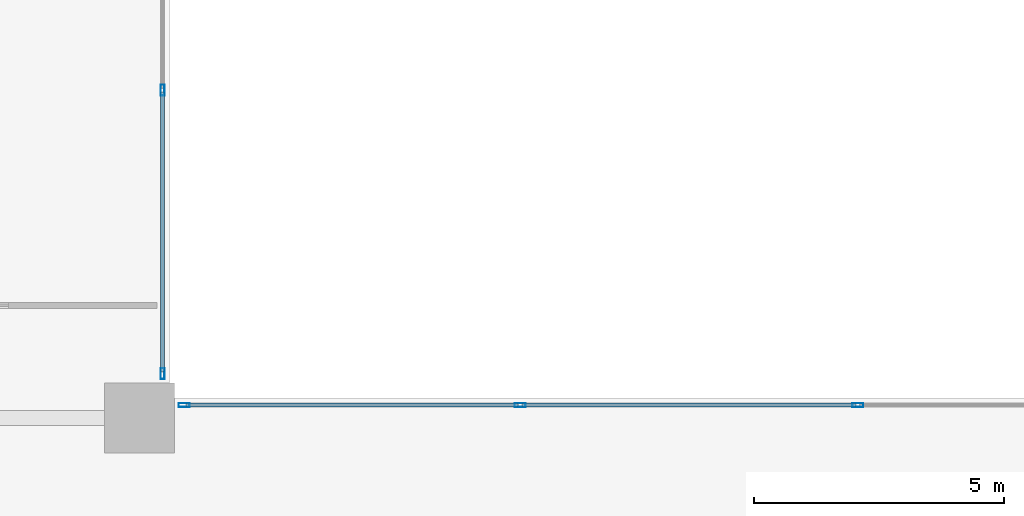
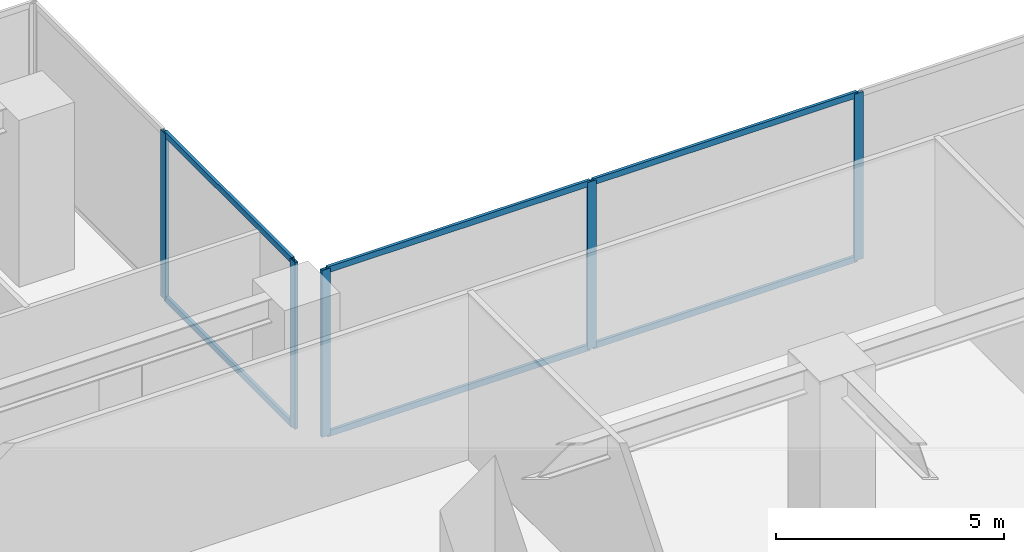
# One storey, part 5 of 16: 11 members, 2 elements without a shape of their own.
"""IFC4 building model written with IfcOpenShell, lengths in metres."""

from ifc_helpers import new_model, si_unit, direction, frame, origin, origin_with_axes, origin_2d, place, context, subcontext, project, spatial, hollow_rectangle, extrude, source, transform, mapped, material, layer, layer_set, material_profile, profile_set, type_object, element, aggregate, save


model = new_model("IFC4")

# Units and contexts
model_context = context("Model", 3, precision=1e-05, world=origin(), true_north=direction((0.0, 1.0)))
body_context = subcontext(model_context, "Body", "Model", "MODEL_VIEW")
ifc_project = project(units=[si_unit("LENGTHUNIT", "METRE"), si_unit("AREAUNIT", "SQUARE_METRE"), si_unit("VOLUMEUNIT", "CUBIC_METRE"), si_unit("PLANEANGLEUNIT", "RADIAN"), si_unit("MASSUNIT", "GRAM", prefix="KILO")], contexts=[model_context])

# Site, building, storey
site_placement = place(None, origin())
site = spatial("IfcSite", under=ifc_project, at=site_placement, CompositionType="ELEMENT")
building_placement = place(site_placement, origin())
building = spatial("IfcBuilding", under=site, at=building_placement, Name="Kolvaren Waterfront Exchange", CompositionType="ELEMENT")
storey_placement = place(building_placement, frame((0.0, 0.0, 15.199951171875)))
storey = spatial("IfcBuildingStorey", under=building, at=storey_placement, Name="L04", CompositionType="ELEMENT", Elevation=15.199951171875)

# Curtain wall, members
ifc_material_1 = material(Name="Anodised bronze aluminium 6063-T6", Category="aluminium")
ifc_layer = layer(ifc_material_1, 0.219970703125, Name="Anodised bronze aluminium 6063-T6")
ifc_layer_set = layer_set([ifc_layer], Name="Anodised bronze aluminium 6063-T6")
curtain_wall_type = type_object("IfcCurtainWallType", Name="ARC-CW-SYS4", PredefinedType="USERDEFINED", material=ifc_layer_set)
curtain_wall_1_placement = place(storey_placement, origin())
curtain_wall_1 = element("IfcCurtainWall", 1, at=curtain_wall_1_placement, inside=storey, type_object=curtain_wall_type, Name="L04 stick curtain wall CW4 (CW-L04-E2)", ObjectType="STICK CURTAIN WALL", PredefinedType="USERDEFINED")
ifc_material_2 = material(Name="Anodised aluminium 6063-T6", Category="aluminium")
ifc_material_profile_1 = material_profile(ifc_material_2, hollow_rectangle(XDim=0.080078125, YDim=0.219970703125, WallThickness=0.0048828125, at=origin_2d()), Name="ALU-MUL-220x80x5")
ifc_profile_set_1 = profile_set([ifc_material_profile_1], Name="Anodised aluminium 6063-T6")
member_type_1 = type_object("IfcMemberType", Name="ARC-CWM-220", PredefinedType="MULLION", material=ifc_profile_set_1)
shared_shape_1 = source(origin_with_axes(), body_context, "Body", "SweptSolid", [
    extrude(hollow_rectangle(XDim=0.080078125, YDim=0.219970703125, WallThickness=0.0048828125, at=origin_2d()), origin(), (0.0, 0.0, 1.0), 4.4599609375),
])
member_1_placement = place(storey_placement, frame((51.155029296875, 39.06005859375, 0.0), z_axis=(0.0, 0.0, 1.0), x_axis=(0.0, -1.0, 0.0)))
member_1 = element("IfcMember", 2, at=member_1_placement, type_object=member_type_1, Name="CW4 mullion 3", PredefinedType="MULLION", context=body_context, shape_type="MappedRepresentation", body=[
    mapped(shared_shape_1, transform((0.0, 0.0, 0.0), x_axis=(1.0, 0.0, 0.0), y_axis=(0.0, 1.0, 0.0), z_axis=(0.0, 0.0, 1.0), scale=1.0)),
])
member_2_placement = place(storey_placement, frame((44.402587890625, 39.06005859375, 0.0), z_axis=(0.0, 0.0, 1.0), x_axis=(0.0, -1.0, 0.0)))
member_2 = element("IfcMember", 3, at=member_2_placement, type_object=member_type_1, Name="CW4 mullion 4", PredefinedType="MULLION", context=body_context, shape_type="MappedRepresentation", body=[
    mapped(shared_shape_1, transform((0.0, 0.0, 0.0), x_axis=(1.0, 0.0, 0.0), y_axis=(0.0, 1.0, 0.0), z_axis=(0.0, 0.0, 1.0), scale=1.0)),
])
member_3_placement = place(storey_placement, frame((37.68994140625, 39.06005859375, 0.0), z_axis=(0.0, 0.0, 1.0), x_axis=(0.0, -1.0, 0.0)))
member_3 = element("IfcMember", 4, at=member_3_placement, type_object=member_type_1, Name="CW4 mullion 5", PredefinedType="MULLION", context=body_context, shape_type="MappedRepresentation", body=[
    mapped(shared_shape_1, transform((0.0, 0.0, 0.0), x_axis=(1.0, 0.0, 0.0), y_axis=(0.0, 1.0, 0.0), z_axis=(0.0, 0.0, 1.0), scale=1.0)),
])

curtain_wall_2_placement = place(storey_placement, origin())
curtain_wall_2 = element("IfcCurtainWall", 5, at=curtain_wall_2_placement, inside=storey, type_object=curtain_wall_type, Name="L04 stick curtain wall CW4 (CW-L04-N1)", ObjectType="STICK CURTAIN WALL", PredefinedType="USERDEFINED")
member_4_placement = place(storey_placement, frame((37.260009765625, 39.68994140625, 0.0), z_axis=(0.0, 0.0, 1.0), x_axis=(-1.0, 0.0, 0.0)))
member_4 = element("IfcMember", 6, at=member_4_placement, type_object=member_type_1, Name="CW4 mullion 1", PredefinedType="MULLION", context=body_context, shape_type="MappedRepresentation", body=[
    mapped(shared_shape_1, transform((0.0, 0.0, 0.0), x_axis=(1.0, 0.0, 0.0), y_axis=(0.0, 1.0, 0.0), z_axis=(0.0, 0.0, 1.0), scale=1.0)),
])
member_5_placement = place(storey_placement, frame((37.260009765625, 45.35498046875, 0.0), z_axis=(0.0, 0.0, 1.0), x_axis=(-1.0, 0.0, 0.0)))
member_5 = element("IfcMember", 7, at=member_5_placement, type_object=member_type_1, Name="CW4 mullion 2", PredefinedType="MULLION", context=body_context, shape_type="MappedRepresentation", body=[
    mapped(shared_shape_1, transform((0.0, 0.0, 0.0), x_axis=(1.0, 0.0, 0.0), y_axis=(0.0, 1.0, 0.0), z_axis=(0.0, 0.0, 1.0), scale=1.0)),
])

# Member
ifc_material_profile_2 = material_profile(ifc_material_2, hollow_rectangle(XDim=0.074951171875, YDim=0.159912109375, WallThickness=0.00439453125, at=origin_2d()), Name="ALU-TRN-160x75x4.5")
ifc_profile_set_2 = profile_set([ifc_material_profile_2], Name="Anodised aluminium 6063-T6")
member_type_2 = type_object("IfcMemberType", Name="ARC-CWT-160", PredefinedType="USERDEFINED", material=ifc_profile_set_2)
shared_shape_2 = source(origin_with_axes(), body_context, "Body", "SweptSolid", [
    extrude(hollow_rectangle(XDim=0.074951171875, YDim=0.159912109375, WallThickness=0.00439453125, at=origin_2d()), origin(), (0.0, 0.0, 1.0), 6.632568359375),
])
member_6_placement = place(storey_placement, frame((44.362548828125, 39.06005859375, 0.03759765625), z_axis=(-1.0, 0.0, 0.0), x_axis=(0.0, -1.0, 0.0)))
member_6 = element("IfcMember", 8, at=member_6_placement, type_object=member_type_2, Name="CW4 transom 4.1", ObjectType="TRANSOM", PredefinedType="USERDEFINED", context=body_context, shape_type="MappedRepresentation", body=[
    mapped(shared_shape_2, transform((0.0, 0.0, 0.0), x_axis=(1.0, 0.0, 0.0), y_axis=(0.0, 1.0, 0.0), z_axis=(0.0, 0.0, 1.0), scale=1.0)),
])

member_7_placement = place(storey_placement, frame((44.362548828125, 39.06005859375, 4.422607421875), z_axis=(-1.0, 0.0, 0.0), x_axis=(0.0, -1.0, 0.0)))
member_7 = element("IfcMember", 9, at=member_7_placement, type_object=member_type_2, Name="CW4 transom 4.2", ObjectType="TRANSOM", PredefinedType="USERDEFINED", context=body_context, shape_type="MappedRepresentation", body=[
    mapped(shared_shape_2, transform((0.0, 0.0, 0.0), x_axis=(1.0, 0.0, 0.0), y_axis=(0.0, 1.0, 0.0), z_axis=(0.0, 0.0, 1.0), scale=1.0)),
])

shared_shape_3 = source(origin_with_axes(), body_context, "Body", "SweptSolid", [
    extrude(hollow_rectangle(XDim=0.074951171875, YDim=0.159912109375, WallThickness=0.00439453125, at=origin_2d()), origin(), (0.0, 0.0, 1.0), 6.672607421875),
])
member_8_placement = place(storey_placement, frame((51.114990234375, 39.06005859375, 0.03759765625), z_axis=(-1.0, 0.0, 0.0), x_axis=(0.0, -1.0, 0.0)))
member_8 = element("IfcMember", 10, at=member_8_placement, type_object=member_type_2, Name="CW4 transom 3.1", ObjectType="TRANSOM", PredefinedType="USERDEFINED", context=body_context, shape_type="MappedRepresentation", body=[
    mapped(shared_shape_3, transform((0.0, 0.0, 0.0), x_axis=(1.0, 0.0, 0.0), y_axis=(0.0, 1.0, 0.0), z_axis=(0.0, 0.0, 1.0), scale=1.0)),
])

member_9_placement = place(storey_placement, frame((51.114990234375, 39.06005859375, 4.422607421875), z_axis=(-1.0, 0.0, 0.0), x_axis=(0.0, -1.0, 0.0)))
member_9 = element("IfcMember", 11, at=member_9_placement, type_object=member_type_2, Name="CW4 transom 3.2", ObjectType="TRANSOM", PredefinedType="USERDEFINED", context=body_context, shape_type="MappedRepresentation", body=[
    mapped(shared_shape_3, transform((0.0, 0.0, 0.0), x_axis=(1.0, 0.0, 0.0), y_axis=(0.0, 1.0, 0.0), z_axis=(0.0, 0.0, 1.0), scale=1.0)),
])

aggregate(curtain_wall_1, [member_1, member_2, member_3, member_8, member_9, member_6, member_7])

shared_shape_4 = source(origin_with_axes(), body_context, "Body", "SweptSolid", [
    extrude(hollow_rectangle(XDim=0.074951171875, YDim=0.159912109375, WallThickness=0.00439453125, at=origin_2d()), origin(), (0.0, 0.0, 1.0), 5.5849609375),
])
member_10_placement = place(storey_placement, frame((37.260009765625, 39.72998046875, 0.03759765625), z_axis=(0.0, 1.0, 0.0), x_axis=(-1.0, 0.0, 0.0)))
member_10 = element("IfcMember", 12, at=member_10_placement, type_object=member_type_2, Name="CW4 transom 1.1", ObjectType="TRANSOM", PredefinedType="USERDEFINED", context=body_context, shape_type="MappedRepresentation", body=[
    mapped(shared_shape_4, transform((0.0, 0.0, 0.0), x_axis=(1.0, 0.0, 0.0), y_axis=(0.0, 1.0, 0.0), z_axis=(0.0, 0.0, 1.0), scale=1.0)),
])

member_11_placement = place(storey_placement, frame((37.260009765625, 39.72998046875, 4.422607421875), z_axis=(0.0, 1.0, 0.0), x_axis=(-1.0, 0.0, 0.0)))
member_11 = element("IfcMember", 13, at=member_11_placement, type_object=member_type_2, Name="CW4 transom 1.2", ObjectType="TRANSOM", PredefinedType="USERDEFINED", context=body_context, shape_type="MappedRepresentation", body=[
    mapped(shared_shape_4, transform((0.0, 0.0, 0.0), x_axis=(1.0, 0.0, 0.0), y_axis=(0.0, 1.0, 0.0), z_axis=(0.0, 0.0, 1.0), scale=1.0)),
])

aggregate(curtain_wall_2, [member_4, member_5, member_10, member_11])

save(model, "model.ifc")
